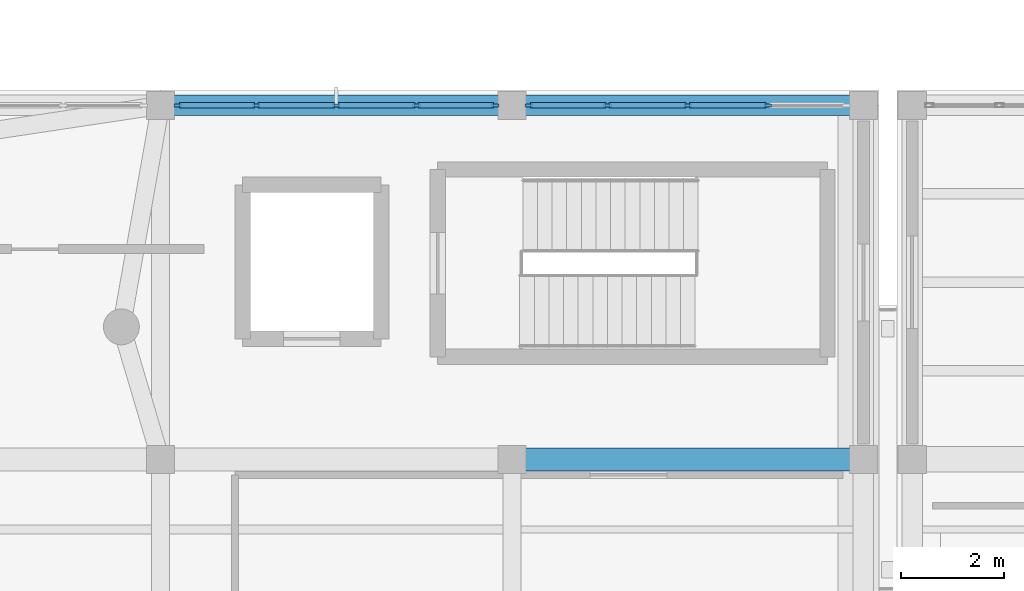
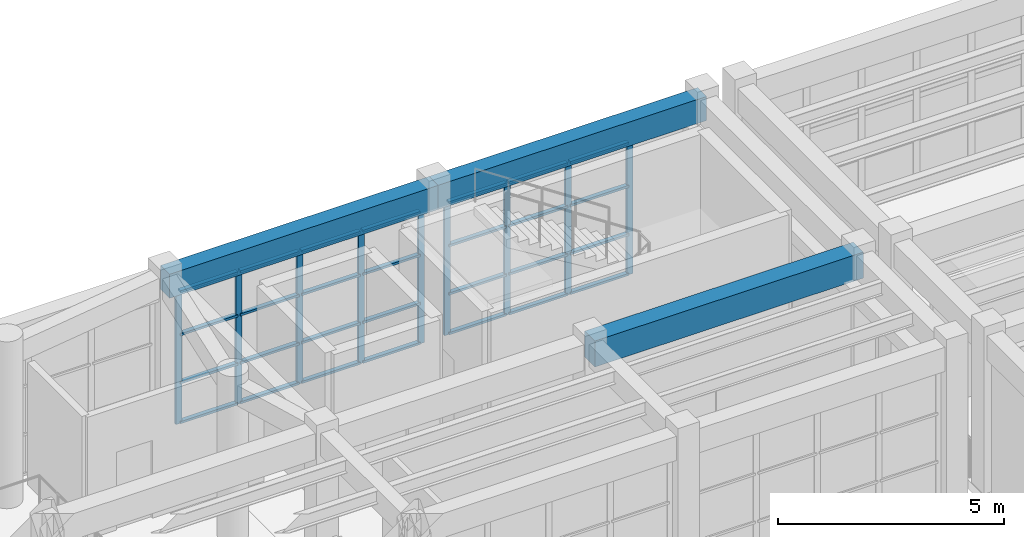
# One storey, part 20 of 85: 37 members, 3 beams, 2 elements without a shape of their own.
"""IFC4 building model written with IfcOpenShell, lengths in metres."""

from ifc_helpers import new_model, si_unit, direction, frame, origin, origin_2d, place, context, subcontext, project, spatial, rectangle, extrude, material, layer, layer_set, material_profile, profile_set, type_object, element, aggregate, save


model = new_model("IFC4")

# Units and contexts
model_context = context("Model", 3, precision=1e-05, world=origin(), true_north=direction((0.0, 1.0)))
body_context = subcontext(model_context, "Body", "Model", "MODEL_VIEW")
ifc_project = project(units=[si_unit("LENGTHUNIT", "METRE"), si_unit("AREAUNIT", "SQUARE_METRE"), si_unit("VOLUMEUNIT", "CUBIC_METRE"), si_unit("PLANEANGLEUNIT", "RADIAN"), si_unit("MASSUNIT", "GRAM", prefix="KILO")], contexts=[model_context])

# Site, building, storey
site_placement = place(None, origin())
site = spatial("IfcSite", under=ifc_project, at=site_placement, CompositionType="ELEMENT")
building_placement = place(site_placement, origin())
building = spatial("IfcBuilding", under=site, at=building_placement, Name="Candilejo Ridge Gondola Terminal", CompositionType="ELEMENT")
storey_placement = place(building_placement, frame((0.0, 0.0, 4.5)))
storey = spatial("IfcBuildingStorey", under=building, at=storey_placement, Name="L01", CompositionType="ELEMENT", Elevation=4.5)

# Curtain wall, members
ifc_material_1 = material(Name="Anodised aluminium AA 6063-T6", Category="aluminium")
ifc_layer = layer(ifc_material_1, 0.169921875)
ifc_layer_set = layer_set([ifc_layer], Name="ARC-CW-DRUM-3400-625X359")
curtain_wall_type = type_object("IfcCurtainWallType", Name="ARC-CW-DRUM-3400-625X359", PredefinedType="NOTDEFINED", material=ifc_layer_set)
curtain_wall_1_placement = place(storey_placement, origin())
curtain_wall_1 = element("IfcCurtainWall", 1, at=curtain_wall_1_placement, inside=storey, type_object=curtain_wall_type, Name="Curtain wall V2 L01-042", PredefinedType="NOTDEFINED")
ifc_material_2 = material(Name="Anodised aluminium AA 6063-T6", Category="aluminium")
ifc_material_profile_1 = material_profile(ifc_material_2, rectangle(XDim=0.06494140625, YDim=0.14990234375, at=origin_2d()))
ifc_profile_set_1 = profile_set([ifc_material_profile_1], Name="Anodised aluminium AA 6063-T6")
member_type_1 = type_object("IfcMemberType", Name="ARC-CW-MULLION-150", PredefinedType="MULLION", material=ifc_profile_set_1)
member_1_placement = place(storey_placement, frame((72.6826171875, 36.699951171875, 0.0), z_axis=(0.0, 0.0, 1.0), x_axis=(0.0, 1.0, 0.0)))
member_1 = element("IfcMember", 2, at=member_1_placement, type_object=member_type_1, Name="CW-62X35 mullion 1", PredefinedType="MULLION", context=body_context, shape_type="SweptSolid", body=[
    extrude(rectangle(XDim=0.06494140625, YDim=0.14990234375, at=origin_2d()), origin(), (0.0, 0.0, 1.0), 3.590087890625),
])
member_2_placement = place(storey_placement, frame((74.21240234375, 36.699951171875, 0.0), z_axis=(0.0, 0.0, 1.0), x_axis=(0.0, 1.0, 0.0)))
member_2 = element("IfcMember", 3, at=member_2_placement, type_object=member_type_1, Name="CW-62X35 mullion 2", PredefinedType="MULLION", context=body_context, shape_type="SweptSolid", body=[
    extrude(rectangle(XDim=0.06494140625, YDim=0.14990234375, at=origin_2d()), origin(), (0.0, 0.0, 1.0), 3.590087890625),
])
member_3_placement = place(storey_placement, frame((75.77490234375, 36.699951171875, 0.0), z_axis=(0.0, 0.0, 1.0), x_axis=(0.0, 1.0, 0.0)))
member_3 = element("IfcMember", 4, at=member_3_placement, type_object=member_type_1, Name="CW-62X35 mullion 3", PredefinedType="MULLION", context=body_context, shape_type="SweptSolid", body=[
    extrude(rectangle(XDim=0.06494140625, YDim=0.14990234375, at=origin_2d()), origin(), (0.0, 0.0, 1.0), 3.590087890625),
])
member_4_placement = place(storey_placement, frame((77.33740234375, 36.699951171875, 0.0), z_axis=(0.0, 0.0, 1.0), x_axis=(0.0, 1.0, 0.0)))
member_4 = element("IfcMember", 5, at=member_4_placement, type_object=member_type_1, Name="CW-62X35 mullion 4", PredefinedType="MULLION", context=body_context, shape_type="SweptSolid", body=[
    extrude(rectangle(XDim=0.06494140625, YDim=0.14990234375, at=origin_2d()), origin(), (0.0, 0.0, 1.0), 3.590087890625),
])
member_5_placement = place(storey_placement, frame((78.867431640625, 36.699951171875, 0.0), z_axis=(0.0, 0.0, 1.0), x_axis=(0.0, 1.0, 0.0)))
member_5 = element("IfcMember", 6, at=member_5_placement, type_object=member_type_1, Name="CW-62X35 mullion 5", PredefinedType="MULLION", context=body_context, shape_type="SweptSolid", body=[
    extrude(rectangle(XDim=0.06494140625, YDim=0.14990234375, at=origin_2d()), origin(), (0.0, 0.0, 1.0), 3.590087890625),
])

curtain_wall_2_placement = place(storey_placement, origin())
curtain_wall_2 = element("IfcCurtainWall", 7, at=curtain_wall_2_placement, inside=storey, type_object=curtain_wall_type, Name="Curtain wall V2 L01-044", PredefinedType="NOTDEFINED")
member_6_placement = place(storey_placement, frame((79.532470703125, 36.699951171875, 0.0), z_axis=(0.0, 0.0, 1.0), x_axis=(0.0, 1.0, 0.0)))
member_6 = element("IfcMember", 8, at=member_6_placement, type_object=member_type_1, Name="CW-62X35 mullion 1", PredefinedType="MULLION", context=body_context, shape_type="SweptSolid", body=[
    extrude(rectangle(XDim=0.06494140625, YDim=0.14990234375, at=origin_2d()), origin(), (0.0, 0.0, 1.0), 3.590087890625),
])
member_7_placement = place(storey_placement, frame((81.0625, 36.699951171875, 0.0), z_axis=(0.0, 0.0, 1.0), x_axis=(0.0, 1.0, 0.0)))
member_7 = element("IfcMember", 9, at=member_7_placement, type_object=member_type_1, Name="CW-62X35 mullion 2", PredefinedType="MULLION", context=body_context, shape_type="SweptSolid", body=[
    extrude(rectangle(XDim=0.06494140625, YDim=0.14990234375, at=origin_2d()), origin(), (0.0, 0.0, 1.0), 3.590087890625),
])
member_8_placement = place(storey_placement, frame((82.625, 36.699951171875, 0.0), z_axis=(0.0, 0.0, 1.0), x_axis=(0.0, 1.0, 0.0)))
member_8 = element("IfcMember", 10, at=member_8_placement, type_object=member_type_1, Name="CW-62X35 mullion 3", PredefinedType="MULLION", context=body_context, shape_type="SweptSolid", body=[
    extrude(rectangle(XDim=0.06494140625, YDim=0.14990234375, at=origin_2d()), origin(), (0.0, 0.0, 1.0), 3.590087890625),
])
member_9_placement = place(storey_placement, frame((84.1875, 36.699951171875, 0.0), z_axis=(0.0, 0.0, 1.0), x_axis=(0.0, 1.0, 0.0)))
member_9 = element("IfcMember", 11, at=member_9_placement, type_object=member_type_1, Name="CW-62X35 mullion 4", PredefinedType="MULLION", context=body_context, shape_type="SweptSolid", body=[
    extrude(rectangle(XDim=0.06494140625, YDim=0.14990234375, at=origin_2d()), origin(), (0.0, 0.0, 1.0), 3.590087890625),
])

# Member
ifc_material_3 = material(Name="Anodised aluminium AA 6063-T6", Category="aluminium")
ifc_material_profile_2 = material_profile(ifc_material_3, rectangle(XDim=0.110107421875, YDim=0.06005859375, at=origin_2d()))
ifc_profile_set_2 = profile_set([ifc_material_profile_2], Name="Anodised aluminium AA 6063-T6")
member_type_2 = type_object("IfcMemberType", Name="ARC-CW-TRANSOM-110", PredefinedType="USERDEFINED", material=ifc_profile_set_2)
member_10_placement = place(storey_placement, frame((72.715087890625, 36.699951171875, 0.030029296875), z_axis=(1.0, 0.0, 0.0), x_axis=(0.0, 1.0, 0.0)))
member_10 = element("IfcMember", 12, at=member_10_placement, type_object=member_type_2, Name="CW-62X35 transom 1.1", ObjectType="TRANSOM", PredefinedType="USERDEFINED", context=body_context, shape_type="SweptSolid", body=[
    extrude(rectangle(XDim=0.110107421875, YDim=0.06005859375, at=origin_2d()), origin(), (0.0, 0.0, 1.0), 1.46484375),
])

member_11_placement = place(storey_placement, frame((72.715087890625, 36.699951171875, 1.10009765625), z_axis=(1.0, 0.0, 0.0), x_axis=(0.0, 1.0, 0.0)))
member_11 = element("IfcMember", 13, at=member_11_placement, type_object=member_type_2, Name="CW-62X35 transom 1.2", ObjectType="TRANSOM", PredefinedType="USERDEFINED", context=body_context, shape_type="SweptSolid", body=[
    extrude(rectangle(XDim=0.110107421875, YDim=0.06005859375, at=origin_2d()), origin(), (0.0, 0.0, 1.0), 1.46484375),
])

member_12_placement = place(storey_placement, frame((72.715087890625, 36.699951171875, 2.39990234375), z_axis=(1.0, 0.0, 0.0), x_axis=(0.0, 1.0, 0.0)))
member_12 = element("IfcMember", 14, at=member_12_placement, type_object=member_type_2, Name="CW-62X35 transom 1.3", ObjectType="TRANSOM", PredefinedType="USERDEFINED", context=body_context, shape_type="SweptSolid", body=[
    extrude(rectangle(XDim=0.110107421875, YDim=0.06005859375, at=origin_2d()), origin(), (0.0, 0.0, 1.0), 1.46484375),
])

member_13_placement = place(storey_placement, frame((72.715087890625, 36.699951171875, 3.56005859375), z_axis=(1.0, 0.0, 0.0), x_axis=(0.0, 1.0, 0.0)))
member_13 = element("IfcMember", 15, at=member_13_placement, type_object=member_type_2, Name="CW-62X35 transom 1.4", ObjectType="TRANSOM", PredefinedType="USERDEFINED", context=body_context, shape_type="SweptSolid", body=[
    extrude(rectangle(XDim=0.110107421875, YDim=0.06005859375, at=origin_2d()), origin(), (0.0, 0.0, 1.0), 1.46484375),
])

member_14_placement = place(storey_placement, frame((74.2451171875, 36.699951171875, 0.030029296875), z_axis=(1.0, 0.0, 0.0), x_axis=(0.0, 1.0, 0.0)))
member_14 = element("IfcMember", 16, at=member_14_placement, type_object=member_type_2, Name="CW-62X35 transom 2.1", ObjectType="TRANSOM", PredefinedType="USERDEFINED", context=body_context, shape_type="SweptSolid", body=[
    extrude(rectangle(XDim=0.110107421875, YDim=0.06005859375, at=origin_2d()), origin(), (0.0, 0.0, 1.0), 1.497314453125),
])

member_15_placement = place(storey_placement, frame((74.2451171875, 36.699951171875, 1.10009765625), z_axis=(1.0, 0.0, 0.0), x_axis=(0.0, 1.0, 0.0)))
member_15 = element("IfcMember", 17, at=member_15_placement, type_object=member_type_2, Name="CW-62X35 transom 2.2", ObjectType="TRANSOM", PredefinedType="USERDEFINED", context=body_context, shape_type="SweptSolid", body=[
    extrude(rectangle(XDim=0.110107421875, YDim=0.06005859375, at=origin_2d()), origin(), (0.0, 0.0, 1.0), 1.497314453125),
])

member_16_placement = place(storey_placement, frame((74.2451171875, 36.699951171875, 2.39990234375), z_axis=(1.0, 0.0, 0.0), x_axis=(0.0, 1.0, 0.0)))
member_16 = element("IfcMember", 18, at=member_16_placement, type_object=member_type_2, Name="CW-62X35 transom 2.3", ObjectType="TRANSOM", PredefinedType="USERDEFINED", context=body_context, shape_type="SweptSolid", body=[
    extrude(rectangle(XDim=0.110107421875, YDim=0.06005859375, at=origin_2d()), origin(), (0.0, 0.0, 1.0), 1.497314453125),
])

member_17_placement = place(storey_placement, frame((74.2451171875, 36.699951171875, 3.56005859375), z_axis=(1.0, 0.0, 0.0), x_axis=(0.0, 1.0, 0.0)))
member_17 = element("IfcMember", 19, at=member_17_placement, type_object=member_type_2, Name="CW-62X35 transom 2.4", ObjectType="TRANSOM", PredefinedType="USERDEFINED", context=body_context, shape_type="SweptSolid", body=[
    extrude(rectangle(XDim=0.110107421875, YDim=0.06005859375, at=origin_2d()), origin(), (0.0, 0.0, 1.0), 1.497314453125),
])

member_18_placement = place(storey_placement, frame((75.8076171875, 36.699951171875, 0.030029296875), z_axis=(1.0, 0.0, 0.0), x_axis=(0.0, 1.0, 0.0)))
member_18 = element("IfcMember", 20, at=member_18_placement, type_object=member_type_2, Name="CW-62X35 transom 3.1", ObjectType="TRANSOM", PredefinedType="USERDEFINED", context=body_context, shape_type="SweptSolid", body=[
    extrude(rectangle(XDim=0.110107421875, YDim=0.06005859375, at=origin_2d()), origin(), (0.0, 0.0, 1.0), 1.497314453125),
])

member_19_placement = place(storey_placement, frame((75.8076171875, 36.699951171875, 1.10009765625), z_axis=(1.0, 0.0, 0.0), x_axis=(0.0, 1.0, 0.0)))
member_19 = element("IfcMember", 21, at=member_19_placement, type_object=member_type_2, Name="CW-62X35 transom 3.2", ObjectType="TRANSOM", PredefinedType="USERDEFINED", context=body_context, shape_type="SweptSolid", body=[
    extrude(rectangle(XDim=0.110107421875, YDim=0.06005859375, at=origin_2d()), origin(), (0.0, 0.0, 1.0), 1.497314453125),
])

member_20_placement = place(storey_placement, frame((75.8076171875, 36.699951171875, 2.39990234375), z_axis=(1.0, 0.0, 0.0), x_axis=(0.0, 1.0, 0.0)))
member_20 = element("IfcMember", 22, at=member_20_placement, type_object=member_type_2, Name="CW-62X35 transom 3.3", ObjectType="TRANSOM", PredefinedType="USERDEFINED", context=body_context, shape_type="SweptSolid", body=[
    extrude(rectangle(XDim=0.110107421875, YDim=0.06005859375, at=origin_2d()), origin(), (0.0, 0.0, 1.0), 1.497314453125),
])

member_21_placement = place(storey_placement, frame((75.8076171875, 36.699951171875, 3.56005859375), z_axis=(1.0, 0.0, 0.0), x_axis=(0.0, 1.0, 0.0)))
member_21 = element("IfcMember", 23, at=member_21_placement, type_object=member_type_2, Name="CW-62X35 transom 3.4", ObjectType="TRANSOM", PredefinedType="USERDEFINED", context=body_context, shape_type="SweptSolid", body=[
    extrude(rectangle(XDim=0.110107421875, YDim=0.06005859375, at=origin_2d()), origin(), (0.0, 0.0, 1.0), 1.497314453125),
])

member_22_placement = place(storey_placement, frame((77.3701171875, 36.699951171875, 0.030029296875), z_axis=(1.0, 0.0, 0.0), x_axis=(0.0, 1.0, 0.0)))
member_22 = element("IfcMember", 24, at=member_22_placement, type_object=member_type_2, Name="CW-62X35 transom 4.1", ObjectType="TRANSOM", PredefinedType="USERDEFINED", context=body_context, shape_type="SweptSolid", body=[
    extrude(rectangle(XDim=0.110107421875, YDim=0.06005859375, at=origin_2d()), origin(), (0.0, 0.0, 1.0), 1.46484375),
])

member_23_placement = place(storey_placement, frame((77.3701171875, 36.699951171875, 1.10009765625), z_axis=(1.0, 0.0, 0.0), x_axis=(0.0, 1.0, 0.0)))
member_23 = element("IfcMember", 25, at=member_23_placement, type_object=member_type_2, Name="CW-62X35 transom 4.2", ObjectType="TRANSOM", PredefinedType="USERDEFINED", context=body_context, shape_type="SweptSolid", body=[
    extrude(rectangle(XDim=0.110107421875, YDim=0.06005859375, at=origin_2d()), origin(), (0.0, 0.0, 1.0), 1.46484375),
])

member_24_placement = place(storey_placement, frame((77.3701171875, 36.699951171875, 2.39990234375), z_axis=(1.0, 0.0, 0.0), x_axis=(0.0, 1.0, 0.0)))
member_24 = element("IfcMember", 26, at=member_24_placement, type_object=member_type_2, Name="CW-62X35 transom 4.3", ObjectType="TRANSOM", PredefinedType="USERDEFINED", context=body_context, shape_type="SweptSolid", body=[
    extrude(rectangle(XDim=0.110107421875, YDim=0.06005859375, at=origin_2d()), origin(), (0.0, 0.0, 1.0), 1.46484375),
])

member_25_placement = place(storey_placement, frame((77.3701171875, 36.699951171875, 3.56005859375), z_axis=(1.0, 0.0, 0.0), x_axis=(0.0, 1.0, 0.0)))
member_25 = element("IfcMember", 27, at=member_25_placement, type_object=member_type_2, Name="CW-62X35 transom 4.4", ObjectType="TRANSOM", PredefinedType="USERDEFINED", context=body_context, shape_type="SweptSolid", body=[
    extrude(rectangle(XDim=0.110107421875, YDim=0.06005859375, at=origin_2d()), origin(), (0.0, 0.0, 1.0), 1.46484375),
])

aggregate(curtain_wall_1, [member_1, member_2, member_3, member_4, member_5, member_10, member_11, member_12, member_13, member_14, member_15, member_16, member_17, member_18, member_19, member_20, member_21, member_22, member_23, member_24, member_25])

member_26_placement = place(storey_placement, frame((79.56494140625, 36.699951171875, 0.030029296875), z_axis=(1.0, 0.0, 0.0), x_axis=(0.0, 1.0, 0.0)))
member_26 = element("IfcMember", 28, at=member_26_placement, type_object=member_type_2, Name="CW-62X35 transom 1.1", ObjectType="TRANSOM", PredefinedType="USERDEFINED", context=body_context, shape_type="SweptSolid", body=[
    extrude(rectangle(XDim=0.110107421875, YDim=0.06005859375, at=origin_2d()), origin(), (0.0, 0.0, 1.0), 1.465087890625),
])

member_27_placement = place(storey_placement, frame((79.56494140625, 36.699951171875, 1.10009765625), z_axis=(1.0, 0.0, 0.0), x_axis=(0.0, 1.0, 0.0)))
member_27 = element("IfcMember", 29, at=member_27_placement, type_object=member_type_2, Name="CW-62X35 transom 1.2", ObjectType="TRANSOM", PredefinedType="USERDEFINED", context=body_context, shape_type="SweptSolid", body=[
    extrude(rectangle(XDim=0.110107421875, YDim=0.06005859375, at=origin_2d()), origin(), (0.0, 0.0, 1.0), 1.465087890625),
])

member_28_placement = place(storey_placement, frame((79.56494140625, 36.699951171875, 2.39990234375), z_axis=(1.0, 0.0, 0.0), x_axis=(0.0, 1.0, 0.0)))
member_28 = element("IfcMember", 30, at=member_28_placement, type_object=member_type_2, Name="CW-62X35 transom 1.3", ObjectType="TRANSOM", PredefinedType="USERDEFINED", context=body_context, shape_type="SweptSolid", body=[
    extrude(rectangle(XDim=0.110107421875, YDim=0.06005859375, at=origin_2d()), origin(), (0.0, 0.0, 1.0), 1.465087890625),
])

member_29_placement = place(storey_placement, frame((79.56494140625, 36.699951171875, 3.56005859375), z_axis=(1.0, 0.0, 0.0), x_axis=(0.0, 1.0, 0.0)))
member_29 = element("IfcMember", 31, at=member_29_placement, type_object=member_type_2, Name="CW-62X35 transom 1.4", ObjectType="TRANSOM", PredefinedType="USERDEFINED", context=body_context, shape_type="SweptSolid", body=[
    extrude(rectangle(XDim=0.110107421875, YDim=0.06005859375, at=origin_2d()), origin(), (0.0, 0.0, 1.0), 1.465087890625),
])

member_30_placement = place(storey_placement, frame((81.094970703125, 36.699951171875, 0.030029296875), z_axis=(1.0, 0.0, 0.0), x_axis=(0.0, 1.0, 0.0)))
member_30 = element("IfcMember", 32, at=member_30_placement, type_object=member_type_2, Name="CW-62X35 transom 2.1", ObjectType="TRANSOM", PredefinedType="USERDEFINED", context=body_context, shape_type="SweptSolid", body=[
    extrude(rectangle(XDim=0.110107421875, YDim=0.06005859375, at=origin_2d()), origin(), (0.0, 0.0, 1.0), 1.49755859375),
])

member_31_placement = place(storey_placement, frame((81.094970703125, 36.699951171875, 1.10009765625), z_axis=(1.0, 0.0, 0.0), x_axis=(0.0, 1.0, 0.0)))
member_31 = element("IfcMember", 33, at=member_31_placement, type_object=member_type_2, Name="CW-62X35 transom 2.2", ObjectType="TRANSOM", PredefinedType="USERDEFINED", context=body_context, shape_type="SweptSolid", body=[
    extrude(rectangle(XDim=0.110107421875, YDim=0.06005859375, at=origin_2d()), origin(), (0.0, 0.0, 1.0), 1.49755859375),
])

member_32_placement = place(storey_placement, frame((81.094970703125, 36.699951171875, 2.39990234375), z_axis=(1.0, 0.0, 0.0), x_axis=(0.0, 1.0, 0.0)))
member_32 = element("IfcMember", 34, at=member_32_placement, type_object=member_type_2, Name="CW-62X35 transom 2.3", ObjectType="TRANSOM", PredefinedType="USERDEFINED", context=body_context, shape_type="SweptSolid", body=[
    extrude(rectangle(XDim=0.110107421875, YDim=0.06005859375, at=origin_2d()), origin(), (0.0, 0.0, 1.0), 1.49755859375),
])

member_33_placement = place(storey_placement, frame((81.094970703125, 36.699951171875, 3.56005859375), z_axis=(1.0, 0.0, 0.0), x_axis=(0.0, 1.0, 0.0)))
member_33 = element("IfcMember", 35, at=member_33_placement, type_object=member_type_2, Name="CW-62X35 transom 2.4", ObjectType="TRANSOM", PredefinedType="USERDEFINED", context=body_context, shape_type="SweptSolid", body=[
    extrude(rectangle(XDim=0.110107421875, YDim=0.06005859375, at=origin_2d()), origin(), (0.0, 0.0, 1.0), 1.49755859375),
])

member_34_placement = place(storey_placement, frame((82.657470703125, 36.699951171875, 0.030029296875), z_axis=(1.0, 0.0, 0.0), x_axis=(0.0, 1.0, 0.0)))
member_34 = element("IfcMember", 36, at=member_34_placement, type_object=member_type_2, Name="CW-62X35 transom 3.1", ObjectType="TRANSOM", PredefinedType="USERDEFINED", context=body_context, shape_type="SweptSolid", body=[
    extrude(rectangle(XDim=0.110107421875, YDim=0.06005859375, at=origin_2d()), origin(), (0.0, 0.0, 1.0), 1.49755859375),
])

member_35_placement = place(storey_placement, frame((82.657470703125, 36.699951171875, 1.10009765625), z_axis=(1.0, 0.0, 0.0), x_axis=(0.0, 1.0, 0.0)))
member_35 = element("IfcMember", 37, at=member_35_placement, type_object=member_type_2, Name="CW-62X35 transom 3.2", ObjectType="TRANSOM", PredefinedType="USERDEFINED", context=body_context, shape_type="SweptSolid", body=[
    extrude(rectangle(XDim=0.110107421875, YDim=0.06005859375, at=origin_2d()), origin(), (0.0, 0.0, 1.0), 1.49755859375),
])

member_36_placement = place(storey_placement, frame((82.657470703125, 36.699951171875, 2.39990234375), z_axis=(1.0, 0.0, 0.0), x_axis=(0.0, 1.0, 0.0)))
member_36 = element("IfcMember", 38, at=member_36_placement, type_object=member_type_2, Name="CW-62X35 transom 3.3", ObjectType="TRANSOM", PredefinedType="USERDEFINED", context=body_context, shape_type="SweptSolid", body=[
    extrude(rectangle(XDim=0.110107421875, YDim=0.06005859375, at=origin_2d()), origin(), (0.0, 0.0, 1.0), 1.49755859375),
])

member_37_placement = place(storey_placement, frame((82.657470703125, 36.699951171875, 3.56005859375), z_axis=(1.0, 0.0, 0.0), x_axis=(0.0, 1.0, 0.0)))
member_37 = element("IfcMember", 39, at=member_37_placement, type_object=member_type_2, Name="CW-62X35 transom 3.4", ObjectType="TRANSOM", PredefinedType="USERDEFINED", context=body_context, shape_type="SweptSolid", body=[
    extrude(rectangle(XDim=0.110107421875, YDim=0.06005859375, at=origin_2d()), origin(), (0.0, 0.0, 1.0), 1.49755859375),
])

aggregate(curtain_wall_2, [member_6, member_7, member_8, member_9, member_26, member_27, member_28, member_29, member_30, member_31, member_32, member_33, member_34, member_35, member_36, member_37])

# Beams
ifc_material_4 = material(Name="Concrete f'c 35 MPa (C35/45)", Category="concrete")
ifc_material_profile_3 = material_profile(ifc_material_4, rectangle(XDim=0.449951171875, YDim=0.699951171875, at=origin_2d()))
ifc_profile_set_3 = profile_set([ifc_material_profile_3], Name="Concrete f'c 35 MPa (C35/45)")
beam_type_1 = type_object("IfcBeamType", Name="STR-BM-RC450X700", PredefinedType="BEAM", material=ifc_profile_set_3)
beam_1_placement = place(storey_placement, frame((79.199951171875, 29.800048828125, 3.89990234375), z_axis=(1.0, 0.0, 0.0), x_axis=(0.0, 1.0, 0.0)))
element("IfcBeam", 40, at=beam_1_placement, inside=storey, type_object=beam_type_1, Name="Beam X V2 L01 X12-X13@Y06", PredefinedType="BEAM", context=body_context, shape_type="SweptSolid", body=[
    extrude(rectangle(XDim=0.449951171875, YDim=0.699951171875, at=origin_2d()), origin(), (0.0, 0.0, 1.0), 6.85009765625),
])
ifc_material_5 = material(Name="Concrete f'c 35 MPa (C35/45)", Category="concrete")
ifc_material_profile_4 = material_profile(ifc_material_5, rectangle(XDim=0.39990234375, YDim=0.64990234375, at=origin_2d()))
ifc_profile_set_4 = profile_set([ifc_material_profile_4], Name="Concrete f'c 35 MPa (C35/45)")
beam_type_2 = type_object("IfcBeamType", Name="STR-SPN-RC400X650", PredefinedType="SPANDREL", material=ifc_profile_set_4)
beam_2_placement = place(storey_placement, frame((72.35009765625, 36.699951171875, 3.925048828125), z_axis=(1.0, 0.0, 0.0), x_axis=(0.0, 1.0, 0.0)))
element("IfcBeam", 41, at=beam_2_placement, inside=storey, type_object=beam_type_2, Name="Beam X V2 L01 X11-X12@Y07", PredefinedType="SPANDREL", context=body_context, shape_type="SweptSolid", body=[
    extrude(rectangle(XDim=0.39990234375, YDim=0.64990234375, at=origin_2d()), origin(), (0.0, 0.0, 1.0), 6.849853515625),
])
beam_3_placement = place(storey_placement, frame((79.199951171875, 36.699951171875, 3.925048828125), z_axis=(1.0, 0.0, 0.0), x_axis=(0.0, 1.0, 0.0)))
element("IfcBeam", 42, at=beam_3_placement, inside=storey, type_object=beam_type_2, Name="Beam X V2 L01 X12-X13@Y07", PredefinedType="SPANDREL", context=body_context, shape_type="SweptSolid", body=[
    extrude(rectangle(XDim=0.39990234375, YDim=0.64990234375, at=origin_2d()), origin(), (0.0, 0.0, 1.0), 6.85009765625),
])

save(model, "model.ifc")
